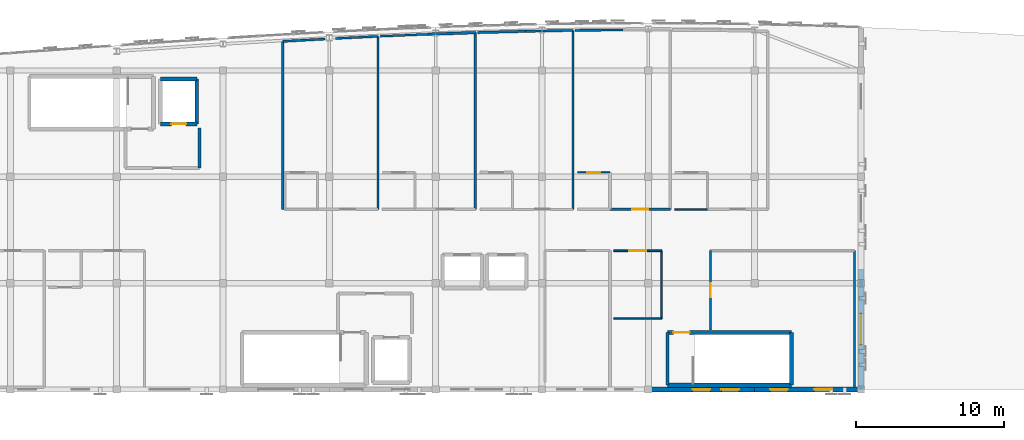
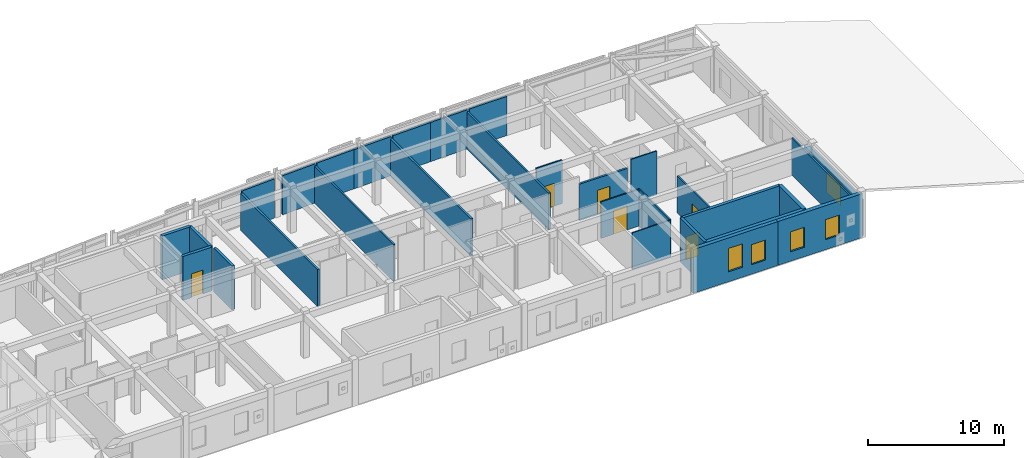
# One storey, part 22 of 24: 30 walls, 6 doors, 5 windows, 11 openings.
"""IFC4 building model written with IfcOpenShell, lengths in metres."""

from ifc_helpers import new_model, si_unit, direction, frame, frame_2d, origin, place, context, subcontext, project, spatial, rectangle, extrude, material, layer, layer_set, type_object, element, fill, save


model = new_model("IFC4")

# Units and contexts
model_context = context("Model", 3, precision=1e-05, world=origin(), true_north=direction((0.0, 1.0)))
body_context = subcontext(model_context, "Body", "Model", "MODEL_VIEW")
ifc_project = project(units=[si_unit("LENGTHUNIT", "METRE"), si_unit("AREAUNIT", "SQUARE_METRE"), si_unit("VOLUMEUNIT", "CUBIC_METRE"), si_unit("PLANEANGLEUNIT", "RADIAN"), si_unit("MASSUNIT", "GRAM", prefix="KILO")], contexts=[model_context])

# Site, building, storey
site_placement = place(None, origin())
site = spatial("IfcSite", under=ifc_project, at=site_placement, CompositionType="ELEMENT")
building_placement = place(site_placement, origin())
building = spatial("IfcBuilding", under=site, at=building_placement, Name="Carrowvane Square Congress Hotel", CompositionType="ELEMENT")
storey_placement = place(building_placement, frame((0.0, 0.0, 44.39990234375)))
storey = spatial("IfcBuildingStorey", under=building, at=storey_placement, Name="L11", CompositionType="ELEMENT", Elevation=44.39990234375)

# Wall, opening, window
ifc_material_1 = material(Name="Glazed terracotta rainscreen", Category="masonry")
ifc_layer_1 = layer(ifc_material_1, 0.330078125)
ifc_layer_set_1 = layer_set([ifc_layer_1], Name="Glazed terracotta rainscreen")
wall_type_1 = type_object("IfcWallType", Name="WL-EXT-TC330", PredefinedType="STANDARD", material=ifc_layer_set_1)
wall_1_placement = place(storey_placement, frame((112.39990234375, 99.974609375, 0.0), z_axis=(0.0, 0.0, 1.0), x_axis=(0.0, -1.0, 0.0)))
wall_1 = element("IfcWall", 1, at=wall_1_placement, inside=storey, type_object=wall_type_1, Name="L11 exterior facade wall 606", PredefinedType="STANDARD", context=body_context, shape_type="SweptSolid", body=[
    extrude(rectangle(XDim=8.174560546875, YDim=0.330078125, at=frame_2d((4.08740234375, 0.0))), origin(), (0.0, 0.0, 1.0), 3.28515625),
])
opening_1_placement = place(wall_1_placement, frame((3.037353515625, 0.0, 0.89990234375)))
opening_1 = element("IfcOpeningElement", 2, at=opening_1_placement, cuts=wall_1, Name="Opening W-06", PredefinedType="OPENING", context=body_context, shape_type="SweptSolid", body=[
    extrude(rectangle(XDim=2.10009765625, YDim=1.800048828125, at=frame_2d((1.050048828125, 0.89990234375))), frame((0.0, 0.175048828125, 0.0), z_axis=(0.0, -1.0, 0.0), x_axis=(1.0, 0.0, 0.0)), (0.0, 0.0, 1.0), 0.35009765625),
])
ifc_material_2 = material(Name="Double-glazed low-E glass", Category="glass")
window_type_1 = type_object("IfcWindowType", Name="WIN-06", PartitioningType="SINGLE_PANEL", PredefinedType="WINDOW", material=ifc_material_2)
window_1_placement = place(opening_1_placement, origin())
window_1 = element("IfcWindow", 3, at=window_1_placement, inside=storey, type_object=window_type_1, Name="L11 facade window 499", OverallHeight=1.800048828125, OverallWidth=2.10009765625, PartitioningType="SINGLE_PANEL", PredefinedType="WINDOW", context=body_context, shape_type="SweptSolid", body=[
    extrude(rectangle(XDim=2.10009765625, YDim=1.800048828125, at=frame_2d((1.050048828125, 0.89990234375))), frame((0.0, 0.030029296875, 0.0), z_axis=(0.0, -1.0, 0.0), x_axis=(1.0, 0.0, 0.0)), (0.0, 0.0, 1.0), 0.06005859375),
])
fill(opening_1, window_1)

# Wall, openings, windows
wall_2_placement = place(storey_placement, frame((112.39990234375, 91.800048828125, 0.0), z_axis=(0.0, 0.0, 1.0), x_axis=(-1.0, 0.0, 0.0)))
wall_2 = element("IfcWall", 4, at=wall_2_placement, inside=storey, type_object=wall_type_1, Name="L11 exterior facade wall 607", PredefinedType="STANDARD", context=body_context, shape_type="SweptSolid", body=[
    extrude(rectangle(XDim=7.199951171875, YDim=0.330078125, at=frame_2d((3.60009765625, 0.0))), origin(), (0.0, 0.0, 1.0), 3.9501953125),
])
opening_2_placement = place(wall_2_placement, frame((1.97509765625, 0.0, 0.89990234375)))
opening_2 = element("IfcOpeningElement", 5, at=opening_2_placement, cuts=wall_2, Name="Opening W-01", PredefinedType="OPENING", context=body_context, shape_type="SweptSolid", body=[
    extrude(rectangle(XDim=1.199951171875, YDim=1.800048828125, at=frame_2d((0.60009765625, 0.89990234375))), frame((0.0, 0.175048828125, 0.0), z_axis=(0.0, -1.0, 0.0), x_axis=(1.0, 0.0, 0.0)), (0.0, 0.0, 1.0), 0.35009765625),
])
opening_3_placement = place(wall_2_placement, frame((4.949951171875, 0.0, 0.85009765625)))
opening_3 = element("IfcOpeningElement", 6, at=opening_3_placement, cuts=wall_2, Name="Opening W-01", PredefinedType="OPENING", context=body_context, shape_type="SweptSolid", body=[
    extrude(rectangle(XDim=1.199951171875, YDim=1.800048828125, at=frame_2d((0.60009765625, 0.89990234375))), frame((0.0, 0.175048828125, 0.0), z_axis=(0.0, -1.0, 0.0), x_axis=(1.0, 0.0, 0.0)), (0.0, 0.0, 1.0), 0.35009765625),
])
ifc_material_3 = material(Name="Double-glazed low-E glass", Category="glass")
window_type_2 = type_object("IfcWindowType", Name="WIN-01", PartitioningType="SINGLE_PANEL", PredefinedType="WINDOW", material=ifc_material_3)
window_2_placement = place(opening_2_placement, origin())
window_2 = element("IfcWindow", 7, at=window_2_placement, inside=storey, type_object=window_type_2, Name="L11 facade window 500", OverallHeight=1.800048828125, OverallWidth=1.199951171875, PartitioningType="SINGLE_PANEL", PredefinedType="WINDOW", context=body_context, shape_type="SweptSolid", body=[
    extrude(rectangle(XDim=1.199951171875, YDim=1.800048828125, at=frame_2d((0.60009765625, 0.89990234375))), frame((0.0, 0.030029296875, 0.0), z_axis=(0.0, -1.0, 0.0), x_axis=(1.0, 0.0, 0.0)), (0.0, 0.0, 1.0), 0.06005859375),
])
fill(opening_2, window_2)
window_3_placement = place(opening_3_placement, origin())
window_3 = element("IfcWindow", 8, at=window_3_placement, inside=storey, type_object=window_type_2, Name="L11 guest bedroom window 501", OverallHeight=1.800048828125, OverallWidth=1.199951171875, PartitioningType="SINGLE_PANEL", PredefinedType="WINDOW", context=body_context, shape_type="SweptSolid", body=[
    extrude(rectangle(XDim=1.199951171875, YDim=1.800048828125, at=frame_2d((0.60009765625, 0.89990234375))), frame((0.0, 0.030029296875, 0.0), z_axis=(0.0, -1.0, 0.0), x_axis=(1.0, 0.0, 0.0)), (0.0, 0.0, 1.0), 0.06005859375),
])
fill(opening_3, window_3)

wall_3_placement = place(storey_placement, frame((105.199951171875, 91.800048828125, 0.0), z_axis=(0.0, 0.0, 1.0), x_axis=(-1.0, 0.0, 0.0)))
wall_3 = element("IfcWall", 9, at=wall_3_placement, inside=storey, type_object=wall_type_1, Name="L11 exterior facade wall 608", PredefinedType="STANDARD", context=body_context, shape_type="SweptSolid", body=[
    extrude(rectangle(XDim=7.199951171875, YDim=0.330078125, at=frame_2d((3.60009765625, 0.0))), origin(), (0.0, 0.0, 1.0), 3.9501953125),
])
opening_4_placement = place(wall_3_placement, frame((3.0, 0.0, 0.89990234375)))
opening_4 = element("IfcOpeningElement", 10, at=opening_4_placement, cuts=wall_3, Name="Opening W-08", PredefinedType="OPENING", context=body_context, shape_type="SweptSolid", body=[
    extrude(rectangle(XDim=1.199951171875, YDim=2.10009765625, at=frame_2d((0.60009765625, 1.050048828125))), frame((0.0, 0.175048828125, 0.0), z_axis=(0.0, -1.0, 0.0), x_axis=(1.0, 0.0, 0.0)), (0.0, 0.0, 1.0), 0.35009765625),
])
opening_5_placement = place(wall_3_placement, frame((1.050048828125, 0.0, 0.85009765625)))
opening_5 = element("IfcOpeningElement", 11, at=opening_5_placement, cuts=wall_3, Name="Opening W-01", PredefinedType="OPENING", context=body_context, shape_type="SweptSolid", body=[
    extrude(rectangle(XDim=1.199951171875, YDim=1.800048828125, at=frame_2d((0.60009765625, 0.89990234375))), frame((0.0, 0.175048828125, 0.0), z_axis=(0.0, -1.0, 0.0), x_axis=(1.0, 0.0, 0.0)), (0.0, 0.0, 1.0), 0.35009765625),
])
window_4_placement = place(opening_5_placement, origin())
window_4 = element("IfcWindow", 12, at=window_4_placement, inside=storey, type_object=window_type_2, Name="L11 guest bedroom window 503", OverallHeight=1.800048828125, OverallWidth=1.199951171875, PartitioningType="SINGLE_PANEL", PredefinedType="WINDOW", context=body_context, shape_type="SweptSolid", body=[
    extrude(rectangle(XDim=1.199951171875, YDim=1.800048828125, at=frame_2d((0.60009765625, 0.89990234375))), frame((0.0, 0.030029296875, 0.0), z_axis=(0.0, -1.0, 0.0), x_axis=(1.0, 0.0, 0.0)), (0.0, 0.0, 1.0), 0.06005859375),
])
fill(opening_5, window_4)
ifc_material_4 = material(Name="Double-glazed low-E glass", Category="glass")
window_type_3 = type_object("IfcWindowType", Name="WIN-08", PartitioningType="SINGLE_PANEL", PredefinedType="WINDOW", material=ifc_material_4)
window_5_placement = place(opening_4_placement, origin())
window_5 = element("IfcWindow", 13, at=window_5_placement, inside=storey, type_object=window_type_3, Name="L11 facade window 502", OverallHeight=2.10009765625, OverallWidth=1.199951171875, PartitioningType="SINGLE_PANEL", PredefinedType="WINDOW", context=body_context, shape_type="SweptSolid", body=[
    extrude(rectangle(XDim=1.199951171875, YDim=2.10009765625, at=frame_2d((0.60009765625, 1.050048828125))), frame((0.0, 0.030029296875, 0.0), z_axis=(0.0, -1.0, 0.0), x_axis=(1.0, 0.0, 0.0)), (0.0, 0.0, 1.0), 0.06005859375),
])
fill(opening_4, window_5)

# Walls
ifc_material_5 = material(Name="Acoustic gypsum board", Category="gypsum")
ifc_layer_2 = layer(ifc_material_5, 0.155029296875)
ifc_layer_set_2 = layer_set([ifc_layer_2], Name="Acoustic gypsum board")
wall_type_2 = type_object("IfcWallType", Name="WL-FIR-155", PredefinedType="PARTITIONING", material=ifc_layer_set_2)
wall_4_placement = place(storey_placement, frame((73.25, 115.37158203125, 0.0), z_axis=(0.0, 0.0, 1.0), x_axis=(0.998450636667, 0.05564464161, 0.0)))
element("IfcWall", 14, at=wall_4_placement, inside=storey, type_object=wall_type_2, Name="L11 Parkview Suite 1107 partition", PredefinedType="PARTITIONING", context=body_context, shape_type="SweptSolid", body=[
    extrude(rectangle(XDim=2.864990234375, YDim=0.155029296875, at=frame_2d((1.4326171875, 0.0))), origin(), (0.0, 0.0, 1.0), 3.525634765625),
])
wall_5_placement = place(storey_placement, frame((89.669921875, 116.05419921875, 0.0), z_axis=(0.0, 0.0, 1.0), x_axis=(0.999828914006, 0.018497100236, 0.0)))
element("IfcWall", 15, at=wall_5_placement, inside=storey, type_object=wall_type_2, Name="L11 Parkview Suite 1109 partition", PredefinedType="PARTITIONING", context=body_context, shape_type="SweptSolid", body=[
    extrude(rectangle(XDim=3.220458984375, YDim=0.155029296875, at=frame_2d((1.6103515625, 0.0))), origin(), (0.0, 0.0, 1.0), 3.525634765625),
])
ifc_material_6 = material(Name="Acoustic gypsum board", Category="gypsum")
ifc_layer_3 = layer(ifc_material_6, 0.169921875)
ifc_layer_set_3 = layer_set([ifc_layer_3], Name="Acoustic gypsum board")
wall_type_3 = type_object("IfcWallType", Name="WL-FIR-170", PredefinedType="PARTITIONING", material=ifc_layer_set_3)
wall_6_placement = place(storey_placement, frame((73.25, 104.0, 0.0), z_axis=(0.0, 0.0, 1.0), x_axis=(0.0, 1.0, 0.0)))
element("IfcWall", 16, at=wall_6_placement, inside=storey, type_object=wall_type_3, Name="L11 Parkview Suite 1107 partition", PredefinedType="PARTITIONING", context=body_context, shape_type="SweptSolid", body=[
    extrude(rectangle(XDim=11.37158203125, YDim=0.169921875, at=frame_2d((5.685791015625, 0.0))), origin(), (0.0, 0.0, 1.0), 3.335205078125),
])
wall_7_placement = place(storey_placement, frame((86.2900390625, 115.96533203125, 0.0), z_axis=(0.0, 0.0, 1.0), x_axis=(0.0, -1.0, 0.0)))
element("IfcWall", 17, at=wall_7_placement, inside=storey, type_object=wall_type_3, Name="L11 Parkview Suite 1108 partition", PredefinedType="PARTITIONING", context=body_context, shape_type="SweptSolid", body=[
    extrude(rectangle(XDim=11.96533203125, YDim=0.169921875, at=frame_2d((5.982666015625, 0.0))), origin(), (0.0, 0.0, 1.0), 3.335205078125),
])
wall_8_placement = place(storey_placement, frame((86.449951171875, 115.9697265625, 0.0), z_axis=(0.0, 0.0, 1.0), x_axis=(0.999656066588, 0.026224960121, 0.0)))
element("IfcWall", 18, at=wall_8_placement, inside=storey, type_object=wall_type_3, Name="L11 Parkview Suite 1109 partition", PredefinedType="PARTITIONING", context=body_context, shape_type="SweptSolid", body=[
    extrude(rectangle(XDim=3.22119140625, YDim=0.169921875, at=frame_2d((1.610595703125, 0.0))), origin(), (0.0, 0.0, 1.0), 3.525634765625),
])

# Wall, opening, door
wall_9_placement = place(storey_placement, frame((99.489990234375, 104.0, 0.0), z_axis=(0.0, 0.0, 1.0), x_axis=(-1.0, 0.0, 0.0)))
wall_9 = element("IfcWall", 19, at=wall_9_placement, inside=storey, type_object=wall_type_3, Name="L11 Parkview Suite 1110 partition", PredefinedType="PARTITIONING", context=body_context, shape_type="SweptSolid", body=[
    extrude(rectangle(XDim=4.080078125, YDim=0.169921875, at=frame_2d((2.0400390625, 0.0))), origin(), (0.0, 0.0, 1.0), 3.28515625),
])
opening_6_placement = place(wall_9_placement, frame((1.510009765625, 0.0, 0.0)))
opening_6 = element("IfcOpeningElement", 20, at=opening_6_placement, cuts=wall_9, Name="Opening FD-09", PredefinedType="OPENING", context=body_context, shape_type="SweptSolid", body=[
    extrude(rectangle(XDim=1.06005859375, YDim=2.199951171875, at=frame_2d((0.530029296875, 1.10009765625))), frame((0.0, 0.094970703125, 0.0), z_axis=(0.0, -1.0, 0.0), x_axis=(1.0, 0.0, 0.0)), (0.0, 0.0, 1.0), 0.18994140625),
])
ifc_material_7 = material(Name="European oak timber", Category="wood")
door_type_1 = type_object("IfcDoorType", Name="DR-FD30-1060x2200", OperationType="NOTDEFINED", PredefinedType="DOOR", material=ifc_material_7)
door_1_placement = place(opening_6_placement, origin())
door_1 = element("IfcDoor", 21, at=door_1_placement, inside=storey, type_object=door_type_1, Name="L11 Parkview Suite 1110 entrance door", OperationType="SINGLE_SWING_LEFT", OverallHeight=2.199951171875, OverallWidth=1.06005859375, PredefinedType="DOOR", context=body_context, shape_type="SweptSolid", body=[
    extrude(rectangle(XDim=1.06005859375, YDim=2.199951171875, at=frame_2d((0.530029296875, 1.10009765625))), frame((0.0, 0.02490234375, 0.0), z_axis=(0.0, -1.0, 0.0), x_axis=(1.0, 0.0, 0.0)), (0.0, 0.0, 1.0), 0.050048828125),
])
fill(opening_6, door_1)

# Walls
ifc_material_8 = material(Name="Acoustic gypsum board", Category="gypsum")
ifc_layer_4 = layer(ifc_material_8, 0.18505859375)
ifc_layer_set_4 = layer_set([ifc_layer_4], Name="Acoustic gypsum board")
wall_type_4 = type_object("IfcWallType", Name="WL-FIR-185", PredefinedType="PARTITIONING", material=ifc_layer_set_4)
wall_10_placement = place(storey_placement, frame((83.070068359375, 115.852783203125, 0.0), z_axis=(0.0, 0.0, 1.0), x_axis=(0.999389690127, 0.034932037846, 0.0)))
element("IfcWall", 22, at=wall_10_placement, inside=storey, type_object=wall_type_4, Name="L11 Parkview Suite 1108 partition", PredefinedType="PARTITIONING", context=body_context, shape_type="SweptSolid", body=[
    extrude(rectangle(XDim=3.221923828125, YDim=0.18505859375, at=frame_2d((1.61083984375, 0.0))), origin(), (0.0, 0.0, 1.0), 3.525634765625),
])
ifc_material_9 = material(Name="Acoustic gypsum board", Category="gypsum")
ifc_layer_5 = layer(ifc_material_9, 0.205078125)
ifc_layer_set_5 = layer_set([ifc_layer_5], Name="Acoustic gypsum board")
wall_type_5 = type_object("IfcWallType", Name="WL-FIR-205", PredefinedType="PARTITIONING", material=ifc_layer_set_5)
wall_11_placement = place(storey_placement, frame((67.60009765625, 106.800048828125, 0.0), z_axis=(0.0, 0.0, 1.0), x_axis=(0.0, 1.0, 0.0)))
element("IfcWall", 23, at=wall_11_placement, inside=storey, type_object=wall_type_5, Name="L11 Firefighting Lobby C1 wall east", PredefinedType="PARTITIONING", context=body_context, shape_type="SweptSolid", body=[
    extrude(rectangle(XDim=2.699951171875, YDim=0.205078125, at=frame_2d((1.35009765625, 0.0))), origin(), (0.0, 0.0, 1.0), 3.9501953125),
])
ifc_material_10 = material(Name="Acoustic gypsum board", Category="gypsum")
ifc_layer_6 = layer(ifc_material_10, 0.097900390625)
ifc_layer_set_6 = layer_set([ifc_layer_6], Name="Acoustic gypsum board")
wall_type_6 = type_object("IfcWallType", Name="WL-PRT-098", PredefinedType="PARTITIONING", material=ifc_layer_set_6)
wall_12_placement = place(storey_placement, frame((98.89990234375, 96.60009765625, 0.0), z_axis=(0.0, 0.0, 1.0), x_axis=(-1.0, 0.0, 0.0)))
element("IfcWall", 24, at=wall_12_placement, inside=storey, type_object=wall_type_6, Name="L11 L11 Accessible Guest WC partition", PredefinedType="PARTITIONING", context=body_context, shape_type="SweptSolid", body=[
    extrude(rectangle(XDim=3.25, YDim=0.097900390625, at=frame_2d((1.625, 0.0))), origin(), (0.0, 0.0, 1.0), 3.28515625),
])

# Wall, opening, door
wall_13_placement = place(storey_placement, frame((93.199951171875, 106.5, 0.0), z_axis=(0.0, 0.0, 1.0), x_axis=(1.0, 0.0, 0.0)))
wall_13 = element("IfcWall", 25, at=wall_13_placement, inside=storey, type_object=wall_type_6, Name="L11 En-suite Bathroom 1110 partition", PredefinedType="PARTITIONING", context=body_context, shape_type="SweptSolid", body=[
    extrude(rectangle(XDim=2.199951171875, YDim=0.097900390625, at=frame_2d((1.10009765625, 0.0))), origin(), (0.0, 0.0, 1.0), 3.9501953125),
])
opening_7_placement = place(wall_13_placement, frame((0.6650390625, 0.0, 0.0)))
opening_7 = element("IfcOpeningElement", 26, at=opening_7_placement, cuts=wall_13, Name="Opening ID-15", PredefinedType="OPENING", context=body_context, shape_type="SweptSolid", body=[
    extrude(rectangle(XDim=0.8701171875, YDim=2.070068359375, at=frame_2d((0.43505859375, 1.03515625))), frame((0.0, 0.058837890625, 0.0), z_axis=(0.0, -1.0, 0.0), x_axis=(1.0, 0.0, 0.0)), (0.0, 0.0, 1.0), 0.117919921875),
])
ifc_material_11 = material(Name="European oak timber", Category="wood")
door_type_2 = type_object("IfcDoorType", Name="DR-INT-0870x2070", OperationType="NOTDEFINED", PredefinedType="DOOR", material=ifc_material_11)
door_2_placement = place(opening_7_placement, origin())
door_2 = element("IfcDoor", 27, at=door_2_placement, inside=storey, type_object=door_type_2, Name="L11 En-suite Bathroom 1110 door", OperationType="SINGLE_SWING_RIGHT", OverallHeight=2.070068359375, OverallWidth=0.8701171875, PredefinedType="DOOR", context=body_context, shape_type="SweptSolid", body=[
    extrude(rectangle(XDim=0.8701171875, YDim=2.070068359375, at=frame_2d((0.43505859375, 1.03515625))), frame((0.0, 0.02490234375, 0.0), z_axis=(0.0, -1.0, 0.0), x_axis=(1.0, 0.0, 0.0)), (0.0, 0.0, 1.0), 0.050048828125),
])
fill(opening_7, door_2)

# Walls
wall_14_placement = place(storey_placement, frame((102.0, 104.0, 0.0), z_axis=(0.0, 0.0, 1.0), x_axis=(-1.0, 0.0, 0.0)))
element("IfcWall", 28, at=wall_14_placement, inside=storey, type_object=wall_type_6, Name="L11 En-suite Bathroom 1111 partition", PredefinedType="PARTITIONING", context=body_context, shape_type="SweptSolid", body=[
    extrude(rectangle(XDim=2.199951171875, YDim=0.097900390625, at=frame_2d((1.10009765625, 0.0))), origin(), (0.0, 0.0, 1.0), 3.9501953125),
])
ifc_material_12 = material(Name="Acoustic gypsum board", Category="gypsum")
ifc_layer_7 = layer(ifc_material_12, 0.10791015625)
ifc_layer_set_7 = layer_set([ifc_layer_7], Name="Acoustic gypsum board")
wall_type_7 = type_object("IfcWallType", Name="WL-PRT-108", PredefinedType="PARTITIONING", material=ifc_layer_set_7)
wall_15_placement = place(storey_placement, frame((98.89990234375, 101.199951171875, 0.0), z_axis=(0.0, 0.0, 1.0), x_axis=(0.0, -1.0, 0.0)))
element("IfcWall", 29, at=wall_15_placement, inside=storey, type_object=wall_type_7, Name="L11 L11 Accessible Guest WC partition", PredefinedType="PARTITIONING", context=body_context, shape_type="SweptSolid", body=[
    extrude(rectangle(XDim=4.599853515625, YDim=0.10791015625, at=frame_2d((2.2998046875, 0.0))), origin(), (0.0, 0.0, 1.0), 3.335205078125),
])

# Wall, opening, door
ifc_material_13 = material(Name="Acoustic gypsum board", Category="gypsum")
ifc_layer_8 = layer(ifc_material_13, 0.117919921875)
ifc_layer_set_8 = layer_set([ifc_layer_8], Name="Acoustic gypsum board")
wall_type_8 = type_object("IfcWallType", Name="WL-PRT-118", PredefinedType="PARTITIONING", material=ifc_layer_set_8)
wall_16_placement = place(storey_placement, frame((95.64990234375, 101.199951171875, 0.0), z_axis=(0.0, 0.0, 1.0), x_axis=(1.0, 0.0, 0.0)))
wall_16 = element("IfcWall", 30, at=wall_16_placement, inside=storey, type_object=wall_type_8, Name="L11 L11 Accessible Guest WC partition", PredefinedType="PARTITIONING", context=body_context, shape_type="SweptSolid", body=[
    extrude(rectangle(XDim=3.25, YDim=0.117919921875, at=frame_2d((1.625, 0.0))), origin(), (0.0, 0.0, 1.0), 3.28515625),
])
opening_8_placement = place(wall_16_placement, frame((1.050048828125, 0.0, 0.0)))
opening_8 = element("IfcOpeningElement", 31, at=opening_8_placement, cuts=wall_16, Name="Opening ID-09", PredefinedType="OPENING", context=body_context, shape_type="SweptSolid", body=[
    extrude(rectangle(XDim=1.14990234375, YDim=2.14990234375, at=frame_2d((0.574951171875, 1.074951171875))), frame((0.0, 0.06884765625, 0.0), z_axis=(0.0, -1.0, 0.0), x_axis=(1.0, 0.0, 0.0)), (0.0, 0.0, 1.0), 0.137939453125),
])
ifc_material_14 = material(Name="European oak timber", Category="wood")
door_type_3 = type_object("IfcDoorType", Name="DR-INT-1150x2150", OperationType="NOTDEFINED", PredefinedType="DOOR", material=ifc_material_14)
door_3_placement = place(opening_8_placement, origin())
door_3 = element("IfcDoor", 32, at=door_3_placement, inside=storey, type_object=door_type_3, Name="L11 L11 Accessible Guest WC entrance door", OperationType="SINGLE_SWING_LEFT", OverallHeight=2.14990234375, OverallWidth=1.14990234375, PredefinedType="DOOR", context=body_context, shape_type="SweptSolid", body=[
    extrude(rectangle(XDim=1.14990234375, YDim=2.14990234375, at=frame_2d((0.574951171875, 1.074951171875))), frame((0.0, 0.02490234375, 0.0), z_axis=(0.0, -1.0, 0.0), x_axis=(1.0, 0.0, 0.0)), (0.0, 0.0, 1.0), 0.050048828125),
])
fill(opening_8, door_3)

ifc_material_15 = material(Name="Acoustic gypsum board", Category="gypsum")
ifc_layer_9 = layer(ifc_material_15, 0.1279296875)
ifc_layer_set_9 = layer_set([ifc_layer_9], Name="Acoustic gypsum board")
wall_type_9 = type_object("IfcWallType", Name="WL-PRT-128", PredefinedType="PARTITIONING", material=ifc_layer_set_9)
wall_17_placement = place(storey_placement, frame((102.2099609375, 95.830078125, 0.0), z_axis=(0.0, 0.0, 1.0), x_axis=(0.0, 1.0, 0.0)))
wall_17 = element("IfcWall", 33, at=wall_17_placement, inside=storey, type_object=wall_type_9, Name="L11 L11 Presidential East Dining Salon partition", PredefinedType="PARTITIONING", context=body_context, shape_type="SweptSolid", body=[
    extrude(rectangle(XDim=5.369873046875, YDim=0.1279296875, at=frame_2d((2.68505859375, 0.0))), origin(), (0.0, 0.0, 1.0), 3.335205078125),
])
opening_9_placement = place(wall_17_placement, frame((2.199951171875, 0.0, 0.0)))
opening_9 = element("IfcOpeningElement", 34, at=opening_9_placement, cuts=wall_17, Name="Opening ID-19", PredefinedType="OPENING", context=body_context, shape_type="SweptSolid", body=[
    extrude(rectangle(XDim=0.969970703125, YDim=2.159912109375, at=frame_2d((0.48486328125, 1.080078125))), frame((0.0, 0.073974609375, 0.0), z_axis=(0.0, -1.0, 0.0), x_axis=(1.0, 0.0, 0.0)), (0.0, 0.0, 1.0), 0.14794921875),
])
ifc_material_16 = material(Name="European oak timber", Category="wood")
door_type_4 = type_object("IfcDoorType", Name="DR-INT-0970x2160", OperationType="NOTDEFINED", PredefinedType="DOOR", material=ifc_material_16)
door_4_placement = place(opening_9_placement, origin())
door_4 = element("IfcDoor", 35, at=door_4_placement, inside=storey, type_object=door_type_4, Name="L11 L11 Presidential East Dining Salon entrance door", OperationType="SINGLE_SWING_LEFT", OverallHeight=2.159912109375, OverallWidth=0.969970703125, PredefinedType="DOOR", context=body_context, shape_type="SweptSolid", body=[
    extrude(rectangle(XDim=0.969970703125, YDim=2.159912109375, at=frame_2d((0.48486328125, 1.080078125))), frame((0.0, 0.02490234375, 0.0), z_axis=(0.0, -1.0, 0.0), x_axis=(1.0, 0.0, 0.0)), (0.0, 0.0, 1.0), 0.050048828125),
])
fill(opening_9, door_4)

# Walls
ifc_material_17 = material(Name="Acoustic gypsum board", Category="gypsum")
ifc_layer_10 = layer(ifc_material_17, 0.137939453125)
ifc_layer_set_10 = layer_set([ifc_layer_10], Name="Acoustic gypsum board")
wall_type_10 = type_object("IfcWallType", Name="WL-PRT-138", PredefinedType="PARTITIONING", material=ifc_layer_set_10)
wall_18_placement = place(storey_placement, frame((111.949951171875, 101.199951171875, 0.0), z_axis=(0.0, 0.0, 1.0), x_axis=(0.0, -1.0, 0.0)))
element("IfcWall", 36, at=wall_18_placement, inside=storey, type_object=wall_type_10, Name="L11 L11 Presidential East Dining Salon partition", PredefinedType="PARTITIONING", context=body_context, shape_type="SweptSolid", body=[
    extrude(rectangle(XDim=9.239990234375, YDim=0.137939453125, at=frame_2d((4.6201171875, 0.0))), origin(), (0.0, 0.0, 1.0), 3.335205078125),
])
wall_19_placement = place(storey_placement, frame((79.68994140625, 115.708984375, 0.0), z_axis=(0.0, 0.0, 1.0), x_axis=(0.0, -1.0, 0.0)))
element("IfcWall", 37, at=wall_19_placement, inside=storey, type_object=wall_type_10, Name="L11 Parkview Suite 1107 partition", PredefinedType="PARTITIONING", context=body_context, shape_type="SweptSolid", body=[
    extrude(rectangle(XDim=11.708984375, YDim=0.137939453125, at=frame_2d((5.8544921875, 0.0))), origin(), (0.0, 0.0, 1.0), 3.335205078125),
])
wall_20_placement = place(storey_placement, frame((79.85009765625, 115.71630859375, 0.0), z_axis=(0.0, 0.0, 1.0), x_axis=(0.999103014869, 0.042345787043, 0.0)))
element("IfcWall", 38, at=wall_20_placement, inside=storey, type_object=wall_type_10, Name="L11 Parkview Suite 1108 partition", PredefinedType="PARTITIONING", context=body_context, shape_type="SweptSolid", body=[
    extrude(rectangle(XDim=3.222900390625, YDim=0.137939453125, at=frame_2d((1.611328125, 0.0))), origin(), (0.0, 0.0, 1.0), 3.525634765625),
])
ifc_material_18 = material(Name="Acoustic gypsum board", Category="gypsum")
ifc_layer_11 = layer(ifc_material_18, 0.14794921875)
ifc_layer_set_11 = layer_set([ifc_layer_11], Name="Acoustic gypsum board")
wall_type_11 = type_object("IfcWallType", Name="WL-PRT-148", PredefinedType="PARTITIONING", material=ifc_layer_set_11)
wall_21_placement = place(storey_placement, frame((76.82958984375, 115.56884765625, 0.0), z_axis=(0.0, 0.0, 1.0), x_axis=(0.998802007512, 0.048934137275, 0.0)))
element("IfcWall", 39, at=wall_21_placement, inside=storey, type_object=wall_type_11, Name="L11 Parkview Suite 1107 partition", PredefinedType="PARTITIONING", context=body_context, shape_type="SweptSolid", body=[
    extrude(rectangle(XDim=2.86376953125, YDim=0.14794921875, at=frame_2d((1.431884765625, 0.0))), origin(), (0.0, 0.0, 1.0), 3.525634765625),
])
wall_22_placement = place(storey_placement, frame((92.889892578125, 116.11376953125, 0.0), z_axis=(0.0, 0.0, 1.0), x_axis=(0.0, -1.0, 0.0)))
element("IfcWall", 40, at=wall_22_placement, inside=storey, type_object=wall_type_11, Name="L11 Parkview Suite 1109 partition", PredefinedType="PARTITIONING", context=body_context, shape_type="SweptSolid", body=[
    extrude(rectangle(XDim=12.11376953125, YDim=0.14794921875, at=frame_2d((6.056884765625, 0.0))), origin(), (0.0, 0.0, 1.0), 3.335205078125),
])
wall_23_placement = place(storey_placement, frame((93.050048828125, 116.1162109375, 0.0), z_axis=(0.0, 0.0, 1.0), x_axis=(0.999961988309, 0.00871905593, 0.0)))
element("IfcWall", 41, at=wall_23_placement, inside=storey, type_object=wall_type_11, Name="L11 Parkview Suite 1110 partition", PredefinedType="PARTITIONING", context=body_context, shape_type="SweptSolid", body=[
    extrude(rectangle(XDim=3.22021484375, YDim=0.14794921875, at=frame_2d((1.610107421875, 0.0))), origin(), (0.0, 0.0, 1.0), 3.525634765625),
])
ifc_material_19 = material(Name="Concrete C40/50", Category="concrete")
ifc_layer_12 = layer(ifc_material_19, 0.22509765625)
ifc_layer_set_12 = layer_set([ifc_layer_12], Name="Concrete C40/50")
wall_type_12 = type_object("IfcWallType", Name="WL-SHR-225", PredefinedType="SHEAR", material=ifc_layer_set_12)
wall_24_placement = place(storey_placement, frame((99.300048828125, 95.659912109375, 0.0), z_axis=(0.0, 0.0, 1.0), x_axis=(0.0, -1.0, 0.0)))
element("IfcWall", 42, at=wall_24_placement, inside=storey, type_object=wall_type_12, Name="L11 ST3 core wall west", PredefinedType="SHEAR", context=body_context, shape_type="SweptSolid", body=[
    extrude(rectangle(XDim=3.559814453125, YDim=0.22509765625, at=frame_2d((1.77978515625, 0.0))), origin(), (0.0, 0.0, 1.0), 3.9501953125),
])

# Wall, opening, door
ifc_material_20 = material(Name="Concrete C40/50", Category="concrete")
ifc_layer_13 = layer(ifc_material_20, 0.25)
ifc_layer_set_13 = layer_set([ifc_layer_13], Name="Concrete C40/50")
wall_type_13 = type_object("IfcWallType", Name="WL-SHR-250", PredefinedType="SHEAR", material=ifc_layer_set_13)
wall_25_placement = place(storey_placement, frame((107.699951171875, 95.659912109375, 0.0), z_axis=(0.0, 0.0, 1.0), x_axis=(-1.0, 0.0, 0.0)))
wall_25 = element("IfcWall", 43, at=wall_25_placement, inside=storey, type_object=wall_type_13, Name="L11 ST3 core wall north", PredefinedType="SHEAR", context=body_context, shape_type="SweptSolid", body=[
    extrude(rectangle(XDim=8.39990234375, YDim=0.25, at=frame_2d((4.199951171875, 0.0))), origin(), (0.0, 0.0, 1.0), 3.9501953125),
])
opening_10_placement = place(wall_25_placement, frame((6.909912109375, 0.0, 0.0)))
opening_10 = element("IfcOpeningElement", 44, at=opening_10_placement, cuts=wall_25, Name="Opening FD-01", PredefinedType="OPENING", context=body_context, shape_type="SweptSolid", body=[
    extrude(rectangle(XDim=1.10009765625, YDim=2.10009765625, at=frame_2d((0.550048828125, 1.050048828125))), frame((0.0, 0.135009765625, 0.0), z_axis=(0.0, -1.0, 0.0), x_axis=(1.0, 0.0, 0.0)), (0.0, 0.0, 1.0), 0.27001953125),
])
ifc_material_21 = material(Name="European oak timber", Category="wood")
door_type_5 = type_object("IfcDoorType", Name="DR-FD60-1100x2100", OperationType="NOTDEFINED", PredefinedType="DOOR", material=ifc_material_21)
door_5_placement = place(opening_10_placement, origin())
door_5 = element("IfcDoor", 45, at=door_5_placement, inside=storey, type_object=door_type_5, Name="L11 ST3 fire door", OperationType="SINGLE_SWING_LEFT", OverallHeight=2.10009765625, OverallWidth=1.10009765625, PredefinedType="DOOR", context=body_context, shape_type="SweptSolid", body=[
    extrude(rectangle(XDim=1.10009765625, YDim=2.10009765625, at=frame_2d((0.550048828125, 1.050048828125))), frame((0.0, 0.02490234375, 0.0), z_axis=(0.0, -1.0, 0.0), x_axis=(1.0, 0.0, 0.0)), (0.0, 0.0, 1.0), 0.050048828125),
])
fill(opening_10, door_5)

wall_26_placement = place(storey_placement, frame((64.97509765625, 109.77490234375, 0.0), z_axis=(0.0, 0.0, 1.0), x_axis=(1.0, 0.0, 0.0)))
wall_26 = element("IfcWall", 46, at=wall_26_placement, inside=storey, type_object=wall_type_13, Name="L11 FFL-1 shaft wall south", PredefinedType="SHEAR", context=body_context, shape_type="SweptSolid", body=[
    extrude(rectangle(XDim=2.449951171875, YDim=0.25, at=frame_2d((1.22509765625, 0.0))), origin(), (0.0, 0.0, 1.0), 3.9501953125),
])
opening_11_placement = place(wall_26_placement, frame((0.72509765625, 0.0, 0.0)))
opening_11 = element("IfcOpeningElement", 47, at=opening_11_placement, cuts=wall_26, Name="Opening LD-FFL-1", PredefinedType="OPENING", context=body_context, shape_type="SweptSolid", body=[
    extrude(rectangle(XDim=1.0, YDim=2.14990234375, at=frame_2d((0.5, 1.074951171875))), frame((0.0, 0.135009765625, 0.0), z_axis=(0.0, -1.0, 0.0), x_axis=(1.0, 0.0, 0.0)), (0.0, 0.0, 1.0), 0.27001953125),
])
ifc_material_22 = material(Name="Stainless steel 316", Category="steel")
door_type_6 = type_object("IfcDoorType", Name="DR-LD-1000x2150", OperationType="DOUBLE_DOOR_SLIDING", PredefinedType="DOOR", material=ifc_material_22)
door_6_placement = place(opening_11_placement, origin())
door_6 = element("IfcDoor", 48, at=door_6_placement, inside=storey, type_object=door_type_6, Name="L11 FFL-1 sliding lift landing door", OperationType="DOUBLE_DOOR_SLIDING", OverallHeight=2.14990234375, OverallWidth=1.0, PredefinedType="DOOR", context=body_context, shape_type="SweptSolid", body=[
    extrude(rectangle(XDim=1.0, YDim=2.14990234375, at=frame_2d((0.5, 1.074951171875))), frame((0.0, 0.02490234375, 0.0), z_axis=(0.0, -1.0, 0.0), x_axis=(1.0, 0.0, 0.0)), (0.0, 0.0, 1.0), 0.050048828125),
])
fill(opening_11, door_6)

# Walls
wall_27_placement = place(storey_placement, frame((67.425048828125, 109.77490234375, 0.0), z_axis=(0.0, 0.0, 1.0), x_axis=(0.0, 1.0, 0.0)))
element("IfcWall", 49, at=wall_27_placement, inside=storey, type_object=wall_type_13, Name="L11 FFL-1 shaft wall east", PredefinedType="SHEAR", context=body_context, shape_type="SweptSolid", body=[
    extrude(rectangle(XDim=3.050048828125, YDim=0.25, at=frame_2d((1.52490234375, 0.0))), origin(), (0.0, 0.0, 1.0), 3.9501953125),
])
wall_28_placement = place(storey_placement, frame((67.425048828125, 112.824951171875, 0.0), z_axis=(0.0, 0.0, 1.0), x_axis=(-1.0, 0.0, 0.0)))
element("IfcWall", 50, at=wall_28_placement, inside=storey, type_object=wall_type_13, Name="L11 FFL-1 shaft wall north", PredefinedType="SHEAR", context=body_context, shape_type="SweptSolid", body=[
    extrude(rectangle(XDim=2.449951171875, YDim=0.25, at=frame_2d((1.22509765625, 0.0))), origin(), (0.0, 0.0, 1.0), 3.9501953125),
])
ifc_material_23 = material(Name="Concrete C40/50", Category="concrete")
ifc_layer_14 = layer(ifc_material_23, 0.27490234375)
ifc_layer_set_14 = layer_set([ifc_layer_14], Name="Concrete C40/50")
wall_type_14 = type_object("IfcWallType", Name="WL-SHR-275", PredefinedType="SHEAR", material=ifc_layer_set_14)
wall_29_placement = place(storey_placement, frame((107.699951171875, 92.10009765625, 0.0), z_axis=(0.0, 0.0, 1.0), x_axis=(0.0, 1.0, 0.0)))
element("IfcWall", 51, at=wall_29_placement, inside=storey, type_object=wall_type_14, Name="L11 ST3 core wall east", PredefinedType="SHEAR", context=body_context, shape_type="SweptSolid", body=[
    extrude(rectangle(XDim=3.559814453125, YDim=0.27490234375, at=frame_2d((1.77978515625, 0.0))), origin(), (0.0, 0.0, 1.0), 3.9501953125),
])
ifc_material_24 = material(Name="Concrete C40/50", Category="concrete")
ifc_layer_15 = layer(ifc_material_24, 0.300048828125)
ifc_layer_set_15 = layer_set([ifc_layer_15], Name="Concrete C40/50")
wall_type_15 = type_object("IfcWallType", Name="WL-SHR-300", PredefinedType="SHEAR", material=ifc_layer_set_15)
wall_30_placement = place(storey_placement, frame((99.300048828125, 92.10009765625, 0.0), z_axis=(0.0, 0.0, 1.0), x_axis=(1.0, 0.0, 0.0)))
element("IfcWall", 52, at=wall_30_placement, inside=storey, type_object=wall_type_15, Name="L11 ST3 core wall south", PredefinedType="SHEAR", context=body_context, shape_type="SweptSolid", body=[
    extrude(rectangle(XDim=8.39990234375, YDim=0.300048828125, at=frame_2d((4.199951171875, 0.0))), origin(), (0.0, 0.0, 1.0), 3.9501953125),
])

save(model, "model.ifc")
